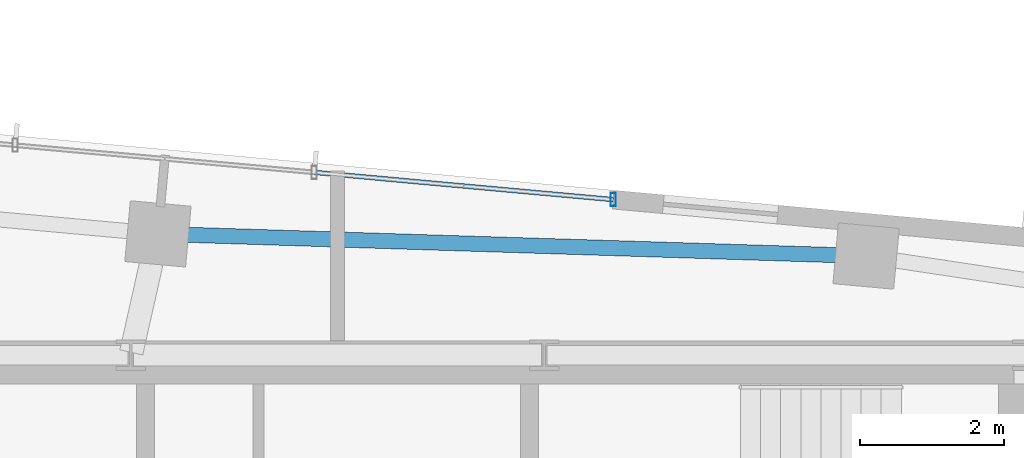
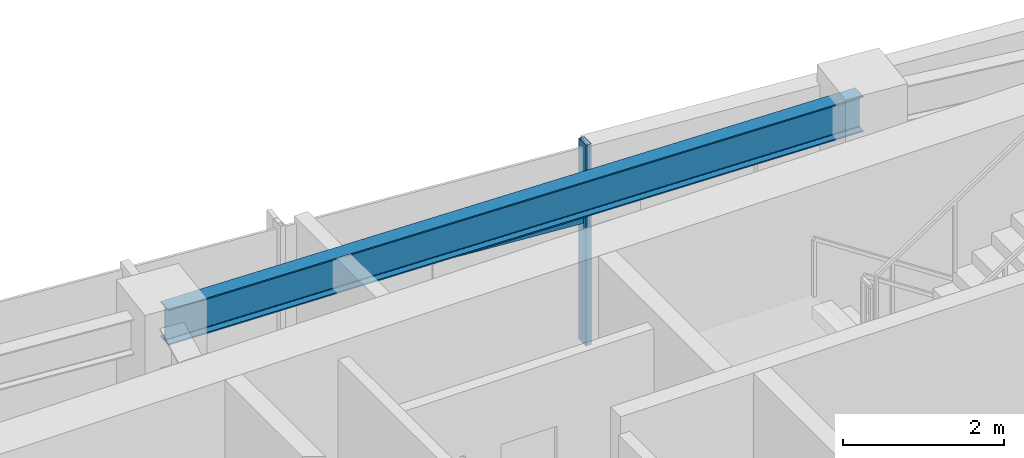
# One storey, part 11 of 22: 2 members, 1 beam, 1 element without a shape of its own.
"""IFC4 building model written with IfcOpenShell, lengths in metres."""

from ifc_helpers import new_model, si_unit, direction, frame, origin, origin_2d, place, context, subcontext, project, spatial, hollow_rectangle, i_section, extrude, source, transform, mapped, material, material_profile, profile_set, type_object, type_shapes, element, aggregate, save


model = new_model("IFC4")

# Units and contexts
model_context = context("Model", 3, precision=1e-05, world=origin(), true_north=direction((0.0, 1.0)))
body_context = subcontext(model_context, "Body", "Model", "MODEL_VIEW")
ifc_project = project(units=[si_unit("LENGTHUNIT", "METRE"), si_unit("AREAUNIT", "SQUARE_METRE"), si_unit("VOLUMEUNIT", "CUBIC_METRE"), si_unit("PLANEANGLEUNIT", "RADIAN"), si_unit("MASSUNIT", "GRAM", prefix="KILO")], contexts=[model_context])

# Site, building, storey
site_placement = place(None, origin())
site = spatial("IfcSite", under=ifc_project, at=site_placement, CompositionType="ELEMENT")
building_placement = place(site_placement, origin())
building = spatial("IfcBuilding", under=site, at=building_placement, Name="Astriad Promenade Condominiums", CompositionType="ELEMENT")
storey_placement = place(building_placement, frame((0.0, 0.0, 239.699951171875)))
storey = spatial("IfcBuildingStorey", under=building, at=storey_placement, Name="L69", CompositionType="ELEMENT", Elevation=239.699951171875)

# Beam
ifc_material_1 = material(Name="Steel ASTM A992 Grade 50", Category="steel")
ifc_material_profile_1 = material_profile(ifc_material_1, i_section(OverallWidth=0.210693359375, OverallDepth=0.53955078125, WebThickness=0.01171875, FlangeThickness=0.018798828125, FilletRadius=0.0166015625, at=origin_2d()), Name="W21X73")
ifc_profile_set_1 = profile_set([ifc_material_profile_1], Name="Steel ASTM A992 Grade 50")
beam_type = type_object("IfcBeamType", Name="STEEL SPANDREL BEAM W21X73", PredefinedType="SPANDREL", material=ifc_profile_set_1)
shared_shape_1 = source(origin(), body_context, "Body", "SweptSolid", [
    extrude(i_section(OverallWidth=0.210693359375, OverallDepth=0.53955078125, WebThickness=0.01171875, FlangeThickness=0.018798828125, FilletRadius=0.0166015625, at=origin_2d()), origin(), (0.0, 0.0, 1.0), 9.783935546875),
])
type_shapes(beam_type, [shared_shape_1])
beam_placement = place(storey_placement, frame((43.31884765625, 25.381103515625, 2.770263671875), z_axis=(-0.999511077438, 0.031266692798, 0.0), x_axis=(-0.031266692798, -0.999511077438, 0.0)))
element("IfcBeam", 1, at=beam_placement, inside=storey, type_object=beam_type, Name="Perimeter Spandrel Beam SP-N3-L69", PredefinedType="SPANDREL", context=body_context, shape_type="MappedRepresentation", body=[
    mapped(shared_shape_1, transform((0.0, 0.0, 0.0), scale=1.0)),
])

# Curtain wall, members
ifc_material_2 = material(Name="Anodised aluminium Black Dark Glass Unitised", Category="aluminium")
curtain_wall_type = type_object("IfcCurtainWallType", Name="CW-B5-DARK", PredefinedType="USERDEFINED", material=ifc_material_2)
curtain_wall_placement = place(storey_placement, origin())
curtain_wall = element("IfcCurtainWall", 2, at=curtain_wall_placement, inside=storey, type_object=curtain_wall_type, Name="CW-L69-N", ObjectType="UNITISED_CURTAIN_WALL", PredefinedType="USERDEFINED")
ifc_material_3 = material(Name="Anodised aluminium 6063-T6 Black", Category="aluminium")
ifc_material_profile_2 = material_profile(ifc_material_3, hollow_rectangle(XDim=0.06494140625, YDim=0.1298828125, WallThickness=0.00390625, at=origin_2d()), Name="ALU-TRN-65X130")
ifc_profile_set_2 = profile_set([ifc_material_profile_2], Name="Anodised aluminium 6063-T6 Black")
member_type_1 = type_object("IfcMemberType", Name="TRN-ALU-TRN-65X130", PredefinedType="USERDEFINED", material=ifc_profile_set_2)
shared_shape_2 = source(origin(), body_context, "Body", "SweptSolid", [
    extrude(hollow_rectangle(XDim=0.06494140625, YDim=0.1298828125, WallThickness=0.00390625, at=origin_2d()), origin(), (0.0, 0.0, 1.0), 4.179931640625),
])
type_shapes(member_type_1, [shared_shape_2])
member_1_placement = place(storey_placement, frame((35.67626953125, 26.54443359375, 1.884765625), z_axis=(0.995883146811, -0.090646334165, 0.0), x_axis=(0.090646334165, 0.995883146811, 0.0)))
member_1 = element("IfcMember", 3, at=member_1_placement, type_object=member_type_1, Name="CW-L69-N-TRN-02-0", ObjectType="TRANSOM", PredefinedType="USERDEFINED", context=body_context, shape_type="MappedRepresentation", body=[
    mapped(shared_shape_2, transform((0.0, 0.0, 0.0), scale=1.0)),
])
ifc_material_profile_3 = material_profile(ifc_material_3, hollow_rectangle(XDim=0.074951171875, YDim=0.18505859375, WallThickness=0.00439453125, at=origin_2d()), Name="ALU-MUL-75X185")
ifc_profile_set_3 = profile_set([ifc_material_profile_3], Name="Anodised aluminium 6063-T6 Black")
member_type_2 = type_object("IfcMemberType", Name="MUL-ALU-MUL-75X185", PredefinedType="MULLION", material=ifc_profile_set_3)
shared_shape_3 = source(origin(), body_context, "Body", "SweptSolid", [
    extrude(hollow_rectangle(XDim=0.074951171875, YDim=0.18505859375, WallThickness=0.00439453125, at=origin_2d()), origin(), (0.0, 0.0, 1.0), 3.0400390625),
])
type_shapes(member_type_2, [shared_shape_3])
member_2_placement = place(storey_placement, frame((39.839111328125, 26.16552734375, 0.0), z_axis=(0.0, 0.0, 1.0), x_axis=(1.0, 0.0, 0.0)))
member_2 = element("IfcMember", 4, at=member_2_placement, type_object=member_type_2, Name="CW-L69-N-MUL-03", PredefinedType="MULLION", context=body_context, shape_type="MappedRepresentation", body=[
    mapped(shared_shape_3, transform((0.0, 0.0, 0.0), scale=1.0)),
])
aggregate(curtain_wall, [member_2, member_1])

save(model, "model.ifc")
